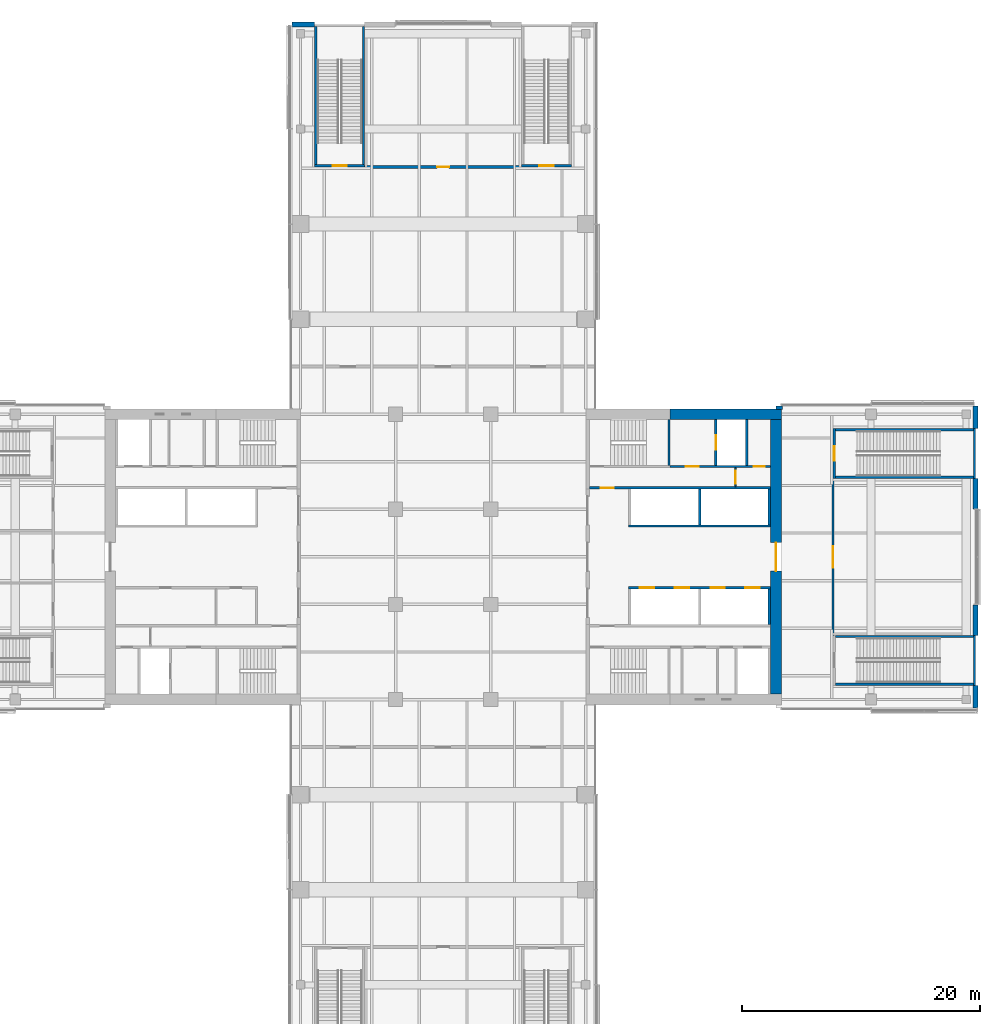
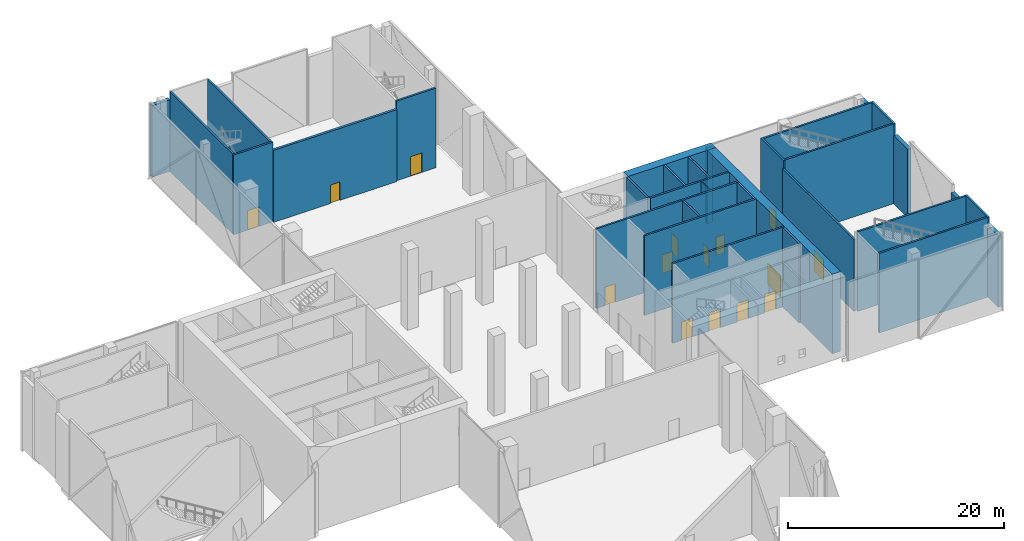
# One storey, part 17 of 26: 32 walls, 15 doors, 15 openings.
"""IFC4 building model written with IfcOpenShell, lengths in metres."""

from ifc_helpers import new_model, si_unit, direction, frame, frame_2d, origin, place, context, subcontext, project, spatial, rectangle, extrude, material, layer, layer_set, constituent, constituent_set, type_object, element, fill, save


model = new_model("IFC4")

# Units and contexts
model_context = context("Model", 3, precision=1e-05, world=origin(), true_north=direction((0.0, 1.0)))
body_context = subcontext(model_context, "Body", "Model", "MODEL_VIEW")
ifc_project = project(units=[si_unit("LENGTHUNIT", "METRE"), si_unit("AREAUNIT", "SQUARE_METRE"), si_unit("VOLUMEUNIT", "CUBIC_METRE"), si_unit("PLANEANGLEUNIT", "RADIAN"), si_unit("MASSUNIT", "GRAM", prefix="KILO")], contexts=[model_context])

# Site, building, storey
site_placement = place(None, origin())
site = spatial("IfcSite", under=ifc_project, at=site_placement, CompositionType="ELEMENT")
building_placement = place(site_placement, origin())
building = spatial("IfcBuilding", under=site, at=building_placement, Name="Crosswind Convention Tower", CompositionType="ELEMENT")
storey_placement = place(building_placement, frame((0.0, 0.0, 25.0)))
storey = spatial("IfcBuildingStorey", under=building, at=storey_placement, Name="L03", CompositionType="ELEMENT", Elevation=25.0)

# Wall, opening, door
ifc_material_1 = material(Name="Concrete C60/75", Category="concrete")
ifc_layer_1 = layer(ifc_material_1, 0.89990234375)
ifc_layer_set_1 = layer_set([ifc_layer_1], Name="Concrete C60/75")
wall_type_1 = type_object("IfcWallType", Name="Concrete core wall 900", PredefinedType="SHEAR", material=ifc_layer_set_1)
wall_1_placement = place(storey_placement, frame((153.0, 88.449951171875, 0.0), z_axis=(0.0, 0.0, 1.0), x_axis=(0.0, 1.0, 0.0)))
wall_1 = element("IfcWall", 1, at=wall_1_placement, inside=storey, type_object=wall_type_1, Name="Wall O E L03", PredefinedType="SHEAR", context=body_context, shape_type="SweptSolid", body=[
    extrude(rectangle(XDim=23.10009765625, YDim=0.89990234375, at=frame_2d((11.550048828125, 0.0))), origin(), (0.0, 0.0, 1.0), 9.0),
])
opening_1_placement = place(wall_1_placement, frame((10.35009765625, 0.0, 0.0)))
opening_1 = element("IfcOpeningElement", 2, at=opening_1_placement, cuts=wall_1, Name="Opening D100", PredefinedType="OPENING", context=body_context, shape_type="SweptSolid", body=[
    extrude(rectangle(XDim=2.39990234375, YDim=2.39990234375, at=frame_2d((1.199951171875, 1.199951171875))), frame((0.0, 0.4599609375, 0.0), z_axis=(0.0, -1.0, 0.0), x_axis=(1.0, 0.0, 0.0)), (0.0, 0.0, 1.0), 0.919921875),
])
ifc_material_2 = material(Name="Steel fire door with glazed vision panels", Category="steel")
door_type_1 = type_object("IfcDoorType", Name="Fire-rated double door 2400x2400", OperationType="DOUBLE_DOOR_SINGLE_SWING", PredefinedType="DOOR", material=ifc_material_2)
door_1_placement = place(opening_1_placement, frame((2.39990234375, 0.0, 0.0), z_axis=(0.0, 0.0, 1.0), x_axis=(-1.0, 0.0, 0.0)))
door_1 = element("IfcDoor", 3, at=door_1_placement, inside=storey, type_object=door_type_1, Name="Lobby outer door L03", ObjectType="D100", OperationType="DOUBLE_DOOR_SINGLE_SWING", OverallHeight=2.39990234375, OverallWidth=2.39990234375, PredefinedType="DOOR", context=body_context, shape_type="SweptSolid", body=[
    extrude(rectangle(XDim=2.39990234375, YDim=2.39990234375, at=frame_2d((1.199951171875, 1.199951171875))), frame((0.0, 0.02490234375, 0.0), z_axis=(0.0, -1.0, 0.0), x_axis=(1.0, 0.0, 0.0)), (0.0, 0.0, 1.0), 0.050048828125),
])
fill(opening_1, door_1)

# Walls
ifc_material_3 = material(Name="Concrete C50/60", Category="concrete")
ifc_layer_2 = layer(ifc_material_3, 0.199951171875)
ifc_layer_set_2 = layer_set([ifc_layer_2], Name="Concrete C50/60")
wall_type_2 = type_object("IfcWallType", Name="Concrete shaft and stair wall 200", PredefinedType="SHEAR", material=ifc_layer_set_2)
for number, where, z_axis, x_axis, name in (
    (4, (146.60009765625, 102.699951171875, 0.0), (0.0, 0.0, 1.0), (0.0, 1.0, 0.0), "Wall RPSEP E L03"),
    (5, (152.449951171875, 102.699951171875, 0.0), (0.0, 0.0, 1.0), (0.0, 1.0, 0.0), "Wall RPEAST E L03"),
):
    element("IfcWall", number, at=place(storey_placement, frame(where, z_axis=z_axis, x_axis=x_axis)), inside=storey, type_object=wall_type_2, Name=name, PredefinedType="SHEAR", context=body_context, shape_type="SweptSolid", body=[
        extrude(rectangle(XDim=3.0, YDim=0.199951171875, at=frame_2d((1.5, 0.0))), origin(), (0.0, 0.0, 1.0), 9.0),
    ])
wall_2_placement = place(storey_placement, frame((140.60009765625, 102.60009765625, 0.0), z_axis=(0.0, 0.0, 1.0), x_axis=(1.0, 0.0, 0.0)))
element("IfcWall", 6, at=wall_2_placement, inside=storey, type_object=wall_type_2, Name="Wall RPFRONT E L03", PredefinedType="SHEAR", context=body_context, shape_type="SweptSolid", body=[
    extrude(rectangle(XDim=11.949951171875, YDim=0.199951171875, at=frame_2d((5.97509765625, 0.0))), origin(), (0.0, 0.0, 1.0), 9.0),
])
wall_3_placement = place(storey_placement, frame((152.449951171875, 94.300048828125, 0.0), z_axis=(0.0, 0.0, 1.0), x_axis=(0.0, 1.0, 0.0)))
element("IfcWall", 7, at=wall_3_placement, inside=storey, type_object=wall_type_2, Name="Wall RMEAST E L03", PredefinedType="SHEAR", context=body_context, shape_type="SweptSolid", body=[
    extrude(rectangle(XDim=3.0, YDim=0.199951171875, at=frame_2d((1.5, 0.0))), origin(), (0.0, 0.0, 1.0), 9.0),
])

# Wall, openings, doors
wall_4_placement = place(storey_placement, frame((140.60009765625, 97.39990234375, 0.0), z_axis=(0.0, 0.0, 1.0), x_axis=(1.0, 0.0, 0.0)))
wall_4 = element("IfcWall", 8, at=wall_4_placement, inside=storey, type_object=wall_type_2, Name="Wall RMFRONT E L03", PredefinedType="SHEAR", context=body_context, shape_type="SweptSolid", body=[
    extrude(rectangle(XDim=11.949951171875, YDim=0.199951171875, at=frame_2d((5.97509765625, 0.0))), origin(), (0.0, 0.0, 1.0), 9.0),
])
opening_2_placement = place(wall_4_placement, frame((0.949951171875, 0.0, 0.0)))
opening_2 = element("IfcOpeningElement", 9, at=opening_2_placement, cuts=wall_4, Name="Opening LD1", PredefinedType="OPENING", context=body_context, shape_type="SweptSolid", body=[
    extrude(rectangle(XDim=1.199951171875, YDim=2.10009765625, at=frame_2d((0.60009765625, 1.050048828125))), frame((0.0, 0.10986328125, 0.0), z_axis=(0.0, -1.0, 0.0), x_axis=(1.0, 0.0, 0.0)), (0.0, 0.0, 1.0), 0.219970703125),
])
opening_3_placement = place(wall_4_placement, frame((3.89990234375, 0.0, 0.0)))
opening_3 = element("IfcOpeningElement", 10, at=opening_3_placement, cuts=wall_4, Name="Opening LD1", PredefinedType="OPENING", context=body_context, shape_type="SweptSolid", body=[
    extrude(rectangle(XDim=1.199951171875, YDim=2.10009765625, at=frame_2d((0.60009765625, 1.050048828125))), frame((0.0, 0.10986328125, 0.0), z_axis=(0.0, -1.0, 0.0), x_axis=(1.0, 0.0, 0.0)), (0.0, 0.0, 1.0), 0.219970703125),
])
opening_4_placement = place(wall_4_placement, frame((6.89990234375, 0.0, 0.0)))
opening_4 = element("IfcOpeningElement", 11, at=opening_4_placement, cuts=wall_4, Name="Opening LD1", PredefinedType="OPENING", context=body_context, shape_type="SweptSolid", body=[
    extrude(rectangle(XDim=1.199951171875, YDim=2.10009765625, at=frame_2d((0.60009765625, 1.050048828125))), frame((0.0, 0.10986328125, 0.0), z_axis=(0.0, -1.0, 0.0), x_axis=(1.0, 0.0, 0.0)), (0.0, 0.0, 1.0), 0.219970703125),
])
opening_5_placement = place(wall_4_placement, frame((9.824951171875, 0.0, 0.0)))
opening_5 = element("IfcOpeningElement", 12, at=opening_5_placement, cuts=wall_4, Name="Opening LD1", PredefinedType="OPENING", context=body_context, shape_type="SweptSolid", body=[
    extrude(rectangle(XDim=1.199951171875, YDim=2.10009765625, at=frame_2d((0.60009765625, 1.050048828125))), frame((0.0, 0.10986328125, 0.0), z_axis=(0.0, -1.0, 0.0), x_axis=(1.0, 0.0, 0.0)), (0.0, 0.0, 1.0), 0.219970703125),
])
ifc_material_4 = material(Name="Stainless steel", Category="steel")
door_type_2 = type_object("IfcDoorType", Name="Lift landing door 1200x2100", OperationType="DOUBLE_DOOR_SLIDING", PredefinedType="DOOR", material=ifc_material_4)
door_2_placement = place(opening_2_placement, origin())
door_2 = element("IfcDoor", 13, at=door_2_placement, inside=storey, type_object=door_type_2, Name="Landing door H1 L03", ObjectType="LD1", OperationType="DOUBLE_DOOR_SLIDING", OverallHeight=2.10009765625, OverallWidth=1.199951171875, PredefinedType="DOOR", context=body_context, shape_type="SweptSolid", body=[
    extrude(rectangle(XDim=1.199951171875, YDim=2.10009765625, at=frame_2d((0.60009765625, 1.050048828125))), frame((0.0, 0.02490234375, 0.0), z_axis=(0.0, -1.0, 0.0), x_axis=(1.0, 0.0, 0.0)), (0.0, 0.0, 1.0), 0.050048828125),
])
fill(opening_2, door_2)
door_3_placement = place(opening_3_placement, origin())
door_3 = element("IfcDoor", 14, at=door_3_placement, inside=storey, type_object=door_type_2, Name="Landing door H2 L03", ObjectType="LD1", OperationType="DOUBLE_DOOR_SLIDING", OverallHeight=2.10009765625, OverallWidth=1.199951171875, PredefinedType="DOOR", context=body_context, shape_type="SweptSolid", body=[
    extrude(rectangle(XDim=1.199951171875, YDim=2.10009765625, at=frame_2d((0.60009765625, 1.050048828125))), frame((0.0, 0.02490234375, 0.0), z_axis=(0.0, -1.0, 0.0), x_axis=(1.0, 0.0, 0.0)), (0.0, 0.0, 1.0), 0.050048828125),
])
fill(opening_3, door_3)
door_4_placement = place(opening_4_placement, origin())
door_4 = element("IfcDoor", 15, at=door_4_placement, inside=storey, type_object=door_type_2, Name="Landing door H3 L03", ObjectType="LD1", OperationType="DOUBLE_DOOR_SLIDING", OverallHeight=2.10009765625, OverallWidth=1.199951171875, PredefinedType="DOOR", context=body_context, shape_type="SweptSolid", body=[
    extrude(rectangle(XDim=1.199951171875, YDim=2.10009765625, at=frame_2d((0.60009765625, 1.050048828125))), frame((0.0, 0.02490234375, 0.0), z_axis=(0.0, -1.0, 0.0), x_axis=(1.0, 0.0, 0.0)), (0.0, 0.0, 1.0), 0.050048828125),
])
fill(opening_4, door_4)
door_5_placement = place(opening_5_placement, origin())
door_5 = element("IfcDoor", 16, at=door_5_placement, inside=storey, type_object=door_type_2, Name="Landing door H4 L03", ObjectType="LD1", OperationType="DOUBLE_DOOR_SLIDING", OverallHeight=2.10009765625, OverallWidth=1.199951171875, PredefinedType="DOOR", context=body_context, shape_type="SweptSolid", body=[
    extrude(rectangle(XDim=1.199951171875, YDim=2.10009765625, at=frame_2d((0.60009765625, 1.050048828125))), frame((0.0, 0.02490234375, 0.0), z_axis=(0.0, -1.0, 0.0), x_axis=(1.0, 0.0, 0.0)), (0.0, 0.0, 1.0), 0.050048828125),
])
fill(opening_5, door_5)

# Wall, opening, door
wall_5_placement = place(storey_placement, frame((137.300048828125, 105.800048828125, 0.0), z_axis=(0.0, 0.0, 1.0), x_axis=(1.0, 0.0, 0.0)))
wall_5 = element("IfcWall", 17, at=wall_5_placement, inside=storey, type_object=wall_type_2, Name="Wall HP E L03", PredefinedType="SHEAR", context=body_context, shape_type="SweptSolid", body=[
    extrude(rectangle(XDim=15.25, YDim=0.199951171875, at=frame_2d((7.625, 0.0))), origin(), (0.0, 0.0, 1.0), 9.0),
])
opening_6_placement = place(wall_5_placement, frame((0.949951171875, 0.0, 0.0)))
opening_6 = element("IfcOpeningElement", 18, at=opening_6_placement, cuts=wall_5, Name="Opening D104", PredefinedType="OPENING", context=body_context, shape_type="SweptSolid", body=[
    extrude(rectangle(XDim=1.10009765625, YDim=2.10009765625, at=frame_2d((0.550048828125, 1.050048828125))), frame((0.0, 0.10986328125, 0.0), z_axis=(0.0, -1.0, 0.0), x_axis=(1.0, 0.0, 0.0)), (0.0, 0.0, 1.0), 0.219970703125),
])
ifc_material_5 = material(Name="Steel fire door", Category="steel")
door_type_3 = type_object("IfcDoorType", Name="Fire-rated single door 1100x2100", OperationType="NOTDEFINED", PredefinedType="DOOR", material=ifc_material_5)
door_6_placement = place(opening_6_placement, origin())
door_6 = element("IfcDoor", 19, at=door_6_placement, inside=storey, type_object=door_type_3, Name="Corridor door L03", ObjectType="D104", OperationType="SINGLE_SWING_LEFT", OverallHeight=2.10009765625, OverallWidth=1.10009765625, PredefinedType="DOOR", context=body_context, shape_type="SweptSolid", body=[
    extrude(rectangle(XDim=1.10009765625, YDim=2.10009765625, at=frame_2d((0.550048828125, 1.050048828125))), frame((0.0, 0.02490234375, 0.0), z_axis=(0.0, -1.0, 0.0), x_axis=(1.0, 0.0, 0.0)), (0.0, 0.0, 1.0), 0.050048828125),
])
fill(opening_6, door_6)

# Wall
wall_6_placement = place(storey_placement, frame((144.0, 107.699951171875, 0.0), z_axis=(0.0, 0.0, 1.0), x_axis=(0.0, 1.0, 0.0)))
element("IfcWall", 20, at=wall_6_placement, inside=storey, type_object=wall_type_2, Name="Wall PSE E L03", PredefinedType="SHEAR", context=body_context, shape_type="SweptSolid", body=[
    extrude(rectangle(XDim=3.85009765625, YDim=0.199951171875, at=frame_2d((1.925048828125, 0.0))), origin(), (0.0, 0.0, 1.0), 9.0),
])

# Wall, opening, door
wall_7_placement = place(storey_placement, frame((147.949951171875, 107.699951171875, 0.0), z_axis=(0.0, 0.0, 1.0), x_axis=(0.0, 1.0, 0.0)))
wall_7 = element("IfcWall", 21, at=wall_7_placement, inside=storey, type_object=wall_type_2, Name="Wall PFLW E L03", PredefinedType="SHEAR", context=body_context, shape_type="SweptSolid", body=[
    extrude(rectangle(XDim=3.85009765625, YDim=0.199951171875, at=frame_2d((1.925048828125, 0.0))), origin(), (0.0, 0.0, 1.0), 9.0),
])
opening_7_placement = place(wall_7_placement, frame((1.324951171875, 0.0, 0.0)))
opening_7 = element("IfcOpeningElement", 22, at=opening_7_placement, cuts=wall_7, Name="Opening LD1", PredefinedType="OPENING", context=body_context, shape_type="SweptSolid", body=[
    extrude(rectangle(XDim=1.199951171875, YDim=2.10009765625, at=frame_2d((0.60009765625, 1.050048828125))), frame((0.0, 0.10986328125, 0.0), z_axis=(0.0, -1.0, 0.0), x_axis=(1.0, 0.0, 0.0)), (0.0, 0.0, 1.0), 0.219970703125),
])
door_7_placement = place(opening_7_placement, origin())
door_7 = element("IfcDoor", 23, at=door_7_placement, inside=storey, type_object=door_type_2, Name="Landing door FF1 L03", ObjectType="LD1", OperationType="DOUBLE_DOOR_SLIDING", OverallHeight=2.10009765625, OverallWidth=1.199951171875, PredefinedType="DOOR", context=body_context, shape_type="SweptSolid", body=[
    extrude(rectangle(XDim=1.199951171875, YDim=2.10009765625, at=frame_2d((0.60009765625, 1.050048828125))), frame((0.0, 0.02490234375, 0.0), z_axis=(0.0, -1.0, 0.0), x_axis=(1.0, 0.0, 0.0)), (0.0, 0.0, 1.0), 0.050048828125),
])
fill(opening_7, door_7)

# Wall
wall_8_placement = place(storey_placement, frame((150.550048828125, 107.699951171875, 0.0), z_axis=(0.0, 0.0, 1.0), x_axis=(0.0, 1.0, 0.0)))
element("IfcWall", 24, at=wall_8_placement, inside=storey, type_object=wall_type_2, Name="Wall PFSE E L03", PredefinedType="SHEAR", context=body_context, shape_type="SweptSolid", body=[
    extrude(rectangle(XDim=3.85009765625, YDim=0.199951171875, at=frame_2d((1.925048828125, 0.0))), origin(), (0.0, 0.0, 1.0), 9.0),
])

# Wall, openings, doors
wall_9_placement = place(storey_placement, frame((144.10009765625, 107.60009765625, 0.0), z_axis=(0.0, 0.0, 1.0), x_axis=(1.0, 0.0, 0.0)))
wall_9 = element("IfcWall", 25, at=wall_9_placement, inside=storey, type_object=wall_type_2, Name="Wall PCX E L03", PredefinedType="SHEAR", context=body_context, shape_type="SweptSolid", body=[
    extrude(rectangle(XDim=8.449951171875, YDim=0.199951171875, at=frame_2d((4.22509765625, 0.0))), origin(), (0.0, 0.0, 1.0), 9.0),
])
opening_8_placement = place(wall_9_placement, frame((1.324951171875, 0.0, 0.0)))
opening_8 = element("IfcOpeningElement", 26, at=opening_8_placement, cuts=wall_9, Name="Opening D104", PredefinedType="OPENING", context=body_context, shape_type="SweptSolid", body=[
    extrude(rectangle(XDim=1.10009765625, YDim=2.10009765625, at=frame_2d((0.550048828125, 1.050048828125))), frame((0.0, 0.10986328125, 0.0), z_axis=(0.0, -1.0, 0.0), x_axis=(1.0, 0.0, 0.0)), (0.0, 0.0, 1.0), 0.219970703125),
])
opening_9_placement = place(wall_9_placement, frame((7.050048828125, 0.0, 0.0)))
opening_9 = element("IfcOpeningElement", 27, at=opening_9_placement, cuts=wall_9, Name="Opening D106", PredefinedType="OPENING", context=body_context, shape_type="SweptSolid", body=[
    extrude(rectangle(XDim=0.89990234375, YDim=2.10009765625, at=frame_2d((0.449951171875, 1.050048828125))), frame((0.0, 0.10986328125, 0.0), z_axis=(0.0, -1.0, 0.0), x_axis=(1.0, 0.0, 0.0)), (0.0, 0.0, 1.0), 0.219970703125),
])
door_8_placement = place(opening_8_placement, origin())
door_8 = element("IfcDoor", 28, at=door_8_placement, inside=storey, type_object=door_type_3, Name="Fire-fighting lobby FF1 door L03", ObjectType="D104", OperationType="SINGLE_SWING_RIGHT", OverallHeight=2.10009765625, OverallWidth=1.10009765625, PredefinedType="DOOR", context=body_context, shape_type="SweptSolid", body=[
    extrude(rectangle(XDim=1.10009765625, YDim=2.10009765625, at=frame_2d((0.550048828125, 1.050048828125))), frame((0.0, 0.02490234375, 0.0), z_axis=(0.0, -1.0, 0.0), x_axis=(1.0, 0.0, 0.0)), (0.0, 0.0, 1.0), 0.050048828125),
])
fill(opening_8, door_8)
ifc_material_6 = material(Name="Timber door", Category="wood")
door_type_4 = type_object("IfcDoorType", Name="Single leaf door 900x2100", OperationType="NOTDEFINED", PredefinedType="DOOR", material=ifc_material_6)
door_9_placement = place(opening_9_placement, origin())
door_9 = element("IfcDoor", 29, at=door_9_placement, inside=storey, type_object=door_type_4, Name="Door to telecoms room L03", ObjectType="D106", OperationType="SINGLE_SWING_RIGHT", OverallHeight=2.10009765625, OverallWidth=0.89990234375, PredefinedType="DOOR", context=body_context, shape_type="SweptSolid", body=[
    extrude(rectangle(XDim=0.89990234375, YDim=2.10009765625, at=frame_2d((0.449951171875, 1.050048828125))), frame((0.0, 0.02490234375, 0.0), z_axis=(0.0, -1.0, 0.0), x_axis=(1.0, 0.0, 0.0)), (0.0, 0.0, 1.0), 0.050048828125),
])
fill(opening_9, door_9)

# Wall, opening, door
ifc_material_7 = material(Name="Gypsum plasterboard partition", Category="gypsum")
ifc_layer_3 = layer(ifc_material_7, 0.125)
ifc_layer_set_3 = layer_set([ifc_layer_3], Name="Drywall partition wall 125")
wall_type_3 = type_object("IfcWallType", Name="Drywall partition wall 125", PredefinedType="PARTITIONING", material=ifc_layer_set_3)
wall_10_placement = place(storey_placement, frame((149.60009765625, 105.89990234375, 0.0), z_axis=(0.0, 0.0, 1.0), x_axis=(0.0, 1.0, 0.0)))
wall_10 = element("IfcWall", 30, at=wall_10_placement, inside=storey, type_object=wall_type_3, Name="Wall PXC1 E L03", PredefinedType="PARTITIONING", context=body_context, shape_type="SweptSolid", body=[
    extrude(rectangle(XDim=1.60009765625, YDim=0.125, at=frame_2d((0.800048828125, 0.0))), origin(), (0.0, 0.0, 1.0), 9.0),
])
opening_10_placement = place(wall_10_placement, frame((0.25, 0.0, 0.0)))
opening_10 = element("IfcOpeningElement", 31, at=opening_10_placement, cuts=wall_10, Name="Opening D104", PredefinedType="OPENING", context=body_context, shape_type="SweptSolid", body=[
    extrude(rectangle(XDim=1.10009765625, YDim=2.10009765625, at=frame_2d((0.550048828125, 1.050048828125))), frame((0.0, 0.072509765625, 0.0), z_axis=(0.0, -1.0, 0.0), x_axis=(1.0, 0.0, 0.0)), (0.0, 0.0, 1.0), 0.14501953125),
])
door_10_placement = place(opening_10_placement, frame((1.10009765625, 0.0, 0.0), z_axis=(0.0, 0.0, 1.0), x_axis=(-1.0, 0.0, 0.0)))
door_10 = element("IfcDoor", 32, at=door_10_placement, inside=storey, type_object=door_type_3, Name="Corridor smoke door L03", ObjectType="D104", OperationType="SINGLE_SWING_LEFT", OverallHeight=2.10009765625, OverallWidth=1.10009765625, PredefinedType="DOOR", context=body_context, shape_type="SweptSolid", body=[
    extrude(rectangle(XDim=1.10009765625, YDim=2.10009765625, at=frame_2d((0.550048828125, 1.050048828125))), frame((0.0, 0.02490234375, 0.0), z_axis=(0.0, -1.0, 0.0), x_axis=(1.0, 0.0, 0.0)), (0.0, 0.0, 1.0), 0.050048828125),
])
fill(opening_10, door_10)

ifc_material_8 = material(Name="Double plasterboard partition", Category="gypsum")
ifc_layer_4 = layer(ifc_material_8, 0.199951171875)
ifc_layer_set_4 = layer_set([ifc_layer_4], Name="HALL WALL 200")
wall_type_4 = type_object("IfcWallType", Name="HALL WALL 200", PredefinedType="PARTITIONING", material=ifc_layer_set_4)
wall_11_placement = place(storey_placement, frame((157.800048828125, 93.39990234375, 0.0), z_axis=(0.0, 0.0, 1.0), x_axis=(0.0, 1.0, 0.0)))
wall_11 = element("IfcWall", 33, at=wall_11_placement, inside=storey, type_object=wall_type_4, Name="Hall Wall 36", PredefinedType="PARTITIONING", context=body_context, shape_type="SweptSolid", body=[
    extrude(rectangle(XDim=13.2001953125, YDim=0.199951171875, at=frame_2d((6.60009765625, 0.0))), origin(), (0.0, 0.0, 1.0), 8.136474609375),
])
opening_11_placement = place(wall_11_placement, frame((5.699951171875, 0.0, 0.0)))
opening_11 = element("IfcOpeningElement", 34, at=opening_11_placement, cuts=wall_11, Name="Opening 03.009", PredefinedType="OPENING", context=body_context, shape_type="SweptSolid", body=[
    extrude(rectangle(XDim=1.800048828125, YDim=2.39990234375, at=frame_2d((0.89990234375, 1.199951171875))), frame((0.0, 0.10986328125, 0.0), z_axis=(0.0, -1.0, 0.0), x_axis=(1.0, 0.0, 0.0)), (0.0, 0.0, 1.0), 0.219970703125),
])
ifc_material_9 = material(Name="Timber fire door", Category="wood")
door_type_5 = type_object("IfcDoorType", Name="HALL DOUBLE DOOR 1800X2400", OperationType="DOUBLE_DOOR_SINGLE_SWING", PredefinedType="DOOR", material=ifc_material_9)
door_11_placement = place(opening_11_placement, origin())
door_11 = element("IfcDoor", 35, at=door_11_placement, inside=storey, type_object=door_type_5, Name="Door 03.009", ObjectType="D5", OperationType="DOUBLE_DOOR_SINGLE_SWING", OverallHeight=2.39990234375, OverallWidth=1.800048828125, PredefinedType="DOOR", context=body_context, shape_type="SweptSolid", body=[
    extrude(rectangle(XDim=1.800048828125, YDim=2.39990234375, at=frame_2d((0.89990234375, 1.199951171875))), frame((0.0, 0.02490234375, 0.0), z_axis=(0.0, -1.0, 0.0), x_axis=(1.0, 0.0, 0.0)), (0.0, 0.0, 1.0), 0.050048828125),
])
fill(opening_11, door_11)

# Walls
ifc_material_10 = material(Name="Concrete C40/50", Category="concrete")
ifc_layer_5 = layer(ifc_material_10, 0.199951171875)
ifc_layer_set_5 = layer_set([ifc_layer_5], Name="Concrete C40/50")
wall_type_5 = type_object("IfcWallType", Name="STAIR ENCLOSURE WALL 200", PredefinedType="SOLIDWALL", material=ifc_layer_set_5)
for number, where, z_axis, x_axis, name in (
    (36, (158.0, 89.300048828125, 0.0), (0.0, 0.0, 1.0), (1.0, 0.0, 0.0), "Stair Enclosure Wall 8"),
    (37, (158.0, 93.300048828125, 0.0), (0.0, 0.0, 1.0), (1.0, 0.0, 0.0), "Stair Enclosure Wall 10"),
    (38, (158.0, 106.699951171875, 0.0), (0.0, 0.0, 1.0), (1.0, 0.0, 0.0), "Stair Enclosure Wall 14"),
    (39, (158.0, 110.699951171875, 0.0), (0.0, 0.0, 1.0), (1.0, 0.0, 0.0), "Stair Enclosure Wall 16"),
):
    element("IfcWall", number, at=place(storey_placement, frame(where, z_axis=z_axis, x_axis=x_axis)), inside=storey, type_object=wall_type_5, Name=name, PredefinedType="SOLIDWALL", context=body_context, shape_type="SweptSolid", body=[
        extrude(rectangle(XDim=11.60009765625, YDim=0.199951171875, at=frame_2d((5.800048828125, 0.0))), origin(), (0.0, 0.0, 1.0), 9.0),
    ])

# Wall, opening, door
wall_12_placement = place(storey_placement, frame((114.199951171875, 132.89990234375, 0.0), z_axis=(0.0, 0.0, 1.0), x_axis=(1.0, 0.0, 0.0)))
wall_12 = element("IfcWall", 40, at=wall_12_placement, inside=storey, type_object=wall_type_5, Name="Stair Enclosure Wall 19", PredefinedType="SOLIDWALL", context=body_context, shape_type="SweptSolid", body=[
    extrude(rectangle(XDim=4.199951171875, YDim=0.199951171875, at=frame_2d((2.10009765625, 0.0))), origin(), (0.0, 0.0, 1.0), 9.0),
])
opening_12_placement = place(wall_12_placement, frame((1.5, 0.0, 0.0)))
opening_12 = element("IfcOpeningElement", 41, at=opening_12_placement, cuts=wall_12, Name="Opening 03.015", PredefinedType="OPENING", context=body_context, shape_type="SweptSolid", body=[
    extrude(rectangle(XDim=1.199951171875, YDim=2.199951171875, at=frame_2d((0.60009765625, 1.10009765625))), frame((0.0, 0.10986328125, 0.0), z_axis=(0.0, -1.0, 0.0), x_axis=(1.0, 0.0, 0.0)), (0.0, 0.0, 1.0), 0.219970703125),
])
door_type_6 = type_object("IfcDoorType", Name="STAIR DOOR 1200X2200", OperationType="NOTDEFINED", PredefinedType="DOOR", material=ifc_material_5)
door_12_placement = place(opening_12_placement, origin())
door_12 = element("IfcDoor", 42, at=door_12_placement, inside=storey, type_object=door_type_6, Name="Door 03.015", ObjectType="D4", OperationType="SINGLE_SWING_RIGHT", OverallHeight=2.199951171875, OverallWidth=1.199951171875, PredefinedType="DOOR", context=body_context, shape_type="SweptSolid", body=[
    extrude(rectangle(XDim=1.199951171875, YDim=2.199951171875, at=frame_2d((0.60009765625, 1.10009765625))), frame((0.0, 0.02490234375, 0.0), z_axis=(0.0, -1.0, 0.0), x_axis=(1.0, 0.0, 0.0)), (0.0, 0.0, 1.0), 0.050048828125),
])
fill(opening_12, door_12)

wall_13_placement = place(storey_placement, frame((131.60009765625, 132.89990234375, 0.0), z_axis=(0.0, 0.0, 1.0), x_axis=(1.0, 0.0, 0.0)))
wall_13 = element("IfcWall", 43, at=wall_13_placement, inside=storey, type_object=wall_type_5, Name="Stair Enclosure Wall 20", PredefinedType="SOLIDWALL", context=body_context, shape_type="SweptSolid", body=[
    extrude(rectangle(XDim=4.199951171875, YDim=0.199951171875, at=frame_2d((2.10009765625, 0.0))), origin(), (0.0, 0.0, 1.0), 9.0),
])
opening_13_placement = place(wall_13_placement, frame((1.5, 0.0, 0.0)))
opening_13 = element("IfcOpeningElement", 44, at=opening_13_placement, cuts=wall_13, Name="Opening 03.016", PredefinedType="OPENING", context=body_context, shape_type="SweptSolid", body=[
    extrude(rectangle(XDim=1.199951171875, YDim=2.199951171875, at=frame_2d((0.60009765625, 1.10009765625))), frame((0.0, 0.10986328125, 0.0), z_axis=(0.0, -1.0, 0.0), x_axis=(1.0, 0.0, 0.0)), (0.0, 0.0, 1.0), 0.219970703125),
])
door_13_placement = place(opening_13_placement, origin())
door_13 = element("IfcDoor", 45, at=door_13_placement, inside=storey, type_object=door_type_6, Name="Door 03.016", ObjectType="D4", OperationType="SINGLE_SWING_RIGHT", OverallHeight=2.199951171875, OverallWidth=1.199951171875, PredefinedType="DOOR", context=body_context, shape_type="SweptSolid", body=[
    extrude(rectangle(XDim=1.199951171875, YDim=2.199951171875, at=frame_2d((0.60009765625, 1.10009765625))), frame((0.0, 0.02490234375, 0.0), z_axis=(0.0, -1.0, 0.0), x_axis=(1.0, 0.0, 0.0)), (0.0, 0.0, 1.0), 0.050048828125),
])
fill(opening_13, door_13)

# Walls
for number, where, z_axis, x_axis, name in (
    (46, (114.300048828125, 133.0, 0.0), (0.0, 0.0, 1.0), (0.0, 1.0, 0.0), "Stair Enclosure Wall 29"),
    (47, (118.300048828125, 133.0, 0.0), (0.0, 0.0, 1.0), (0.0, 1.0, 0.0), "Stair Enclosure Wall 31"),
):
    element("IfcWall", number, at=place(storey_placement, frame(where, z_axis=z_axis, x_axis=x_axis)), inside=storey, type_object=wall_type_5, Name=name, PredefinedType="SOLIDWALL", context=body_context, shape_type="SweptSolid", body=[
        extrude(rectangle(XDim=11.60009765625, YDim=0.199951171875, at=frame_2d((5.800048828125, 0.0))), origin(), (0.0, 0.0, 1.0), 9.0),
    ])

# Wall, opening, door
wall_14_placement = place(storey_placement, frame((157.89990234375, 106.60009765625, 0.0), z_axis=(0.0, 0.0, 1.0), x_axis=(0.0, 1.0, 0.0)))
wall_14 = element("IfcWall", 48, at=wall_14_placement, inside=storey, type_object=wall_type_5, Name="Stair Enclosure Wall 38", PredefinedType="SOLIDWALL", context=body_context, shape_type="SweptSolid", body=[
    extrude(rectangle(XDim=4.199951171875, YDim=0.199951171875, at=frame_2d((2.10009765625, 0.0))), origin(), (0.0, 0.0, 1.0), 9.0),
])
opening_14_placement = place(wall_14_placement, frame((1.5, 0.0, 0.0)))
opening_14 = element("IfcOpeningElement", 49, at=opening_14_placement, cuts=wall_14, Name="Opening 03.014", PredefinedType="OPENING", context=body_context, shape_type="SweptSolid", body=[
    extrude(rectangle(XDim=1.199951171875, YDim=2.199951171875, at=frame_2d((0.60009765625, 1.10009765625))), frame((0.0, 0.10986328125, 0.0), z_axis=(0.0, -1.0, 0.0), x_axis=(1.0, 0.0, 0.0)), (0.0, 0.0, 1.0), 0.219970703125),
])
door_14_placement = place(opening_14_placement, frame((1.199951171875, 0.0, 0.0), z_axis=(0.0, 0.0, 1.0), x_axis=(-1.0, 0.0, 0.0)))
door_14 = element("IfcDoor", 50, at=door_14_placement, inside=storey, type_object=door_type_6, Name="Door 03.014", ObjectType="D4", OperationType="SINGLE_SWING_LEFT", OverallHeight=2.199951171875, OverallWidth=1.199951171875, PredefinedType="DOOR", context=body_context, shape_type="SweptSolid", body=[
    extrude(rectangle(XDim=1.199951171875, YDim=2.199951171875, at=frame_2d((0.60009765625, 1.10009765625))), frame((0.0, 0.02490234375, 0.0), z_axis=(0.0, -1.0, 0.0), x_axis=(1.0, 0.0, 0.0)), (0.0, 0.0, 1.0), 0.050048828125),
])
fill(opening_14, door_14)

# Walls
for number, where, z_axis, x_axis, name in (
    (51, (169.699951171875, 89.199951171875, 0.0), (0.0, 0.0, 1.0), (0.0, 1.0, 0.0), "Stair Enclosure Wall 39"),
    (52, (169.699951171875, 106.60009765625, 0.0), (0.0, 0.0, 1.0), (0.0, 1.0, 0.0), "Stair Enclosure Wall 40"),
):
    element("IfcWall", number, at=place(storey_placement, frame(where, z_axis=z_axis, x_axis=x_axis)), inside=storey, type_object=wall_type_5, Name=name, PredefinedType="SOLIDWALL", context=body_context, shape_type="SweptSolid", body=[
        extrude(rectangle(XDim=4.199951171875, YDim=0.199951171875, at=frame_2d((2.10009765625, 0.0))), origin(), (0.0, 0.0, 1.0), 9.0),
    ])
ifc_material_11 = material(Name="Terracotta rainscreen", Category="ceramic")
ifc_layer_6 = layer(ifc_material_11, 0.02001953125)
ifc_material_12 = material(Name="Mineral wool insulation", Category="insulation")
ifc_layer_7 = layer(ifc_material_12, 0.10009765625)
ifc_material_13 = material(Name="Concrete blockwork", Category="masonry")
ifc_layer_8 = layer(ifc_material_13, 0.18603515625)
ifc_layer_set_6 = layer_set([ifc_layer_6, ifc_layer_7, ifc_layer_8], Name="TERRACOTTA CORNER INFILL WALL 306")
wall_type_6 = type_object("IfcWallType", Name="TERRACOTTA CORNER INFILL WALL 306", PredefinedType="SOLIDWALL", material=ifc_layer_set_6)
wall_15_placement = place(storey_placement, frame((153.0, 112.547119140625, 0.0), z_axis=(0.0, 0.0, 1.0), x_axis=(1.0, 0.0, 0.0)))
element("IfcWall", 53, at=wall_15_placement, inside=storey, type_object=wall_type_6, Name="Core corner infill wall L03 1", PredefinedType="SOLIDWALL", context=body_context, shape_type="SweptSolid", body=[
    extrude(rectangle(XDim=0.554931640625, YDim=0.305908203125, at=frame_2d((0.27734375, 0.0))), origin(), (0.0, 0.0, 1.0), 8.60009765625),
])
ifc_layer_9 = layer(ifc_material_11, 0.02001953125)
ifc_layer_10 = layer(ifc_material_12, 0.10009765625)
ifc_layer_11 = layer(ifc_material_13, 0.280029296875)
ifc_layer_set_7 = layer_set([ifc_layer_9, ifc_layer_10, ifc_layer_11], Name="TERRACOTTA INFILL WALL 400")
wall_type_7 = type_object("IfcWallType", Name="TERRACOTTA INFILL WALL 400", PredefinedType="SOLIDWALL", material=ifc_layer_set_7)
wall_16_placement = place(storey_placement, frame((169.784912109375, 87.300048828125, 0.0), z_axis=(0.0, 0.0, 1.0), x_axis=(0.0, 1.0, 0.0)))
element("IfcWall", 54, at=wall_16_placement, inside=storey, type_object=wall_type_7, Name="Stair enclosure side wall L03 E-TIP.1-1.1", PredefinedType="SOLIDWALL", context=body_context, shape_type="SweptSolid", body=[
    extrude(rectangle(XDim=1.89990234375, YDim=0.39990234375, at=frame_2d((0.949951171875, 0.0))), origin(), (0.0, 0.0, 1.0), 8.10009765625),
])
for number, where, z_axis, x_axis, name in (
    (55, (169.784912109375, 93.39990234375, 0.0), (0.0, 0.0, 1.0), (0.0, 1.0, 0.0), "Stair enclosure side wall L03 E-TIP.1-1.2"),
    (56, (169.784912109375, 104.0400390625, 0.0), (0.0, 0.0, 1.0), (0.0, 1.0, 0.0), "Stair enclosure side wall L03 E-TIP.1-3.1"),
):
    element("IfcWall", number, at=place(storey_placement, frame(where, z_axis=z_axis, x_axis=x_axis)), inside=storey, type_object=wall_type_7, Name=name, PredefinedType="SOLIDWALL", context=body_context, shape_type="SweptSolid", body=[
        extrude(rectangle(XDim=2.56005859375, YDim=0.39990234375, at=frame_2d((1.280029296875, 0.0))), origin(), (0.0, 0.0, 1.0), 7.699951171875),
    ])
for number, where, z_axis, x_axis, name in (
    (57, (169.784912109375, 110.800048828125, 0.0), (0.0, 0.0, 1.0), (0.0, 1.0, 0.0), "Stair enclosure side wall L03 E-TIP.1-3.2"),
    (58, (114.199951171875, 144.784912109375, 0.0), (0.0, 0.0, 1.0), (-1.0, 0.0, 0.0), "Stair enclosure side wall L03 N-TIP.1-3.2"),
):
    element("IfcWall", number, at=place(storey_placement, frame(where, z_axis=z_axis, x_axis=x_axis)), inside=storey, type_object=wall_type_7, Name=name, PredefinedType="SOLIDWALL", context=body_context, shape_type="SweptSolid", body=[
        extrude(rectangle(XDim=1.89990234375, YDim=0.39990234375, at=frame_2d((0.949951171875, 0.0))), origin(), (0.0, 0.0, 1.0), 8.10009765625),
    ])

# Wall, opening, door
ifc_material_14 = material(Name="Acoustic blockwork", Category="masonry")
ifc_layer_12 = layer(ifc_material_14, 0.25)
ifc_layer_set_8 = layer_set([ifc_layer_12], Name="THEATRE WALL 250")
wall_type_8 = type_object("IfcWallType", Name="THEATRE WALL 250", PredefinedType="PARTITIONING", material=ifc_layer_set_8)
wall_17_placement = place(storey_placement, frame((118.39990234375, 132.800048828125, 0.0), z_axis=(0.0, 0.0, 1.0), x_axis=(1.0, 0.0, 0.0)))
wall_17 = element("IfcWall", 59, at=wall_17_placement, inside=storey, type_object=wall_type_8, Name="Theatre Wall 18", PredefinedType="PARTITIONING", context=body_context, shape_type="SweptSolid", body=[
    extrude(rectangle(XDim=13.2001953125, YDim=0.25, at=frame_2d((6.60009765625, 0.0))), origin(), (0.0, 0.0, 1.0), 8.136474609375),
])
opening_15_placement = place(wall_17_placement, frame((6.10009765625, 0.0, 0.0)))
opening_15 = element("IfcOpeningElement", 60, at=opening_15_placement, cuts=wall_17, Name="Opening 03.001", PredefinedType="OPENING", context=body_context, shape_type="SweptSolid", body=[
    extrude(rectangle(XDim=1.0, YDim=2.10009765625, at=frame_2d((0.5, 1.050048828125))), frame((0.0, 0.135009765625, 0.0), z_axis=(0.0, -1.0, 0.0), x_axis=(1.0, 0.0, 0.0)), (0.0, 0.0, 1.0), 0.27001953125),
])
door_type_7 = type_object("IfcDoorType", Name="MEETING ROOM DOOR 1000X2100", OperationType="NOTDEFINED", PredefinedType="DOOR", material=ifc_material_9)
door_15_placement = place(opening_15_placement, origin())
door_15 = element("IfcDoor", 61, at=door_15_placement, inside=storey, type_object=door_type_7, Name="Door 03.001", ObjectType="D13", OperationType="SINGLE_SWING_RIGHT", OverallHeight=2.10009765625, OverallWidth=1.0, PredefinedType="DOOR", context=body_context, shape_type="SweptSolid", body=[
    extrude(rectangle(XDim=1.0, YDim=2.10009765625, at=frame_2d((0.5, 1.050048828125))), frame((0.0, 0.02490234375, 0.0), z_axis=(0.0, -1.0, 0.0), x_axis=(1.0, 0.0, 0.0)), (0.0, 0.0, 1.0), 0.050048828125),
])
fill(opening_15, door_15)

# Wall
ifc_constituent_1 = constituent(ifc_material_1, Name="Structure")
ifc_constituent_2 = constituent(ifc_material_11, Name="Facing")
ifc_constituent_set = constituent_set(constituents=[ifc_constituent_1, ifc_constituent_2], Name="Concrete C60/75, Terracotta rainscreen")
wall_type_9 = type_object("IfcWallType", Name="Terracotta rainscreen on concrete core wall 900", PredefinedType="SHEAR", material=ifc_constituent_set)
wall_18_placement = place(storey_placement, frame((144.10009765625, 112.0, 0.0), z_axis=(0.0, 0.0, 1.0), x_axis=(1.0, 0.0, 0.0)))
element("IfcWall", 62, at=wall_18_placement, inside=storey, type_object=wall_type_9, Name="Wall N2 E L03", PredefinedType="SHEAR", context=body_context, shape_type="SweptSolid", body=[
    extrude(rectangle(XDim=9.349853515625, YDim=0.89990234375, at=frame_2d((4.6748046875, 0.0))), origin(), (0.0, 0.0, 1.0), 9.0),
])

save(model, "model.ifc")
